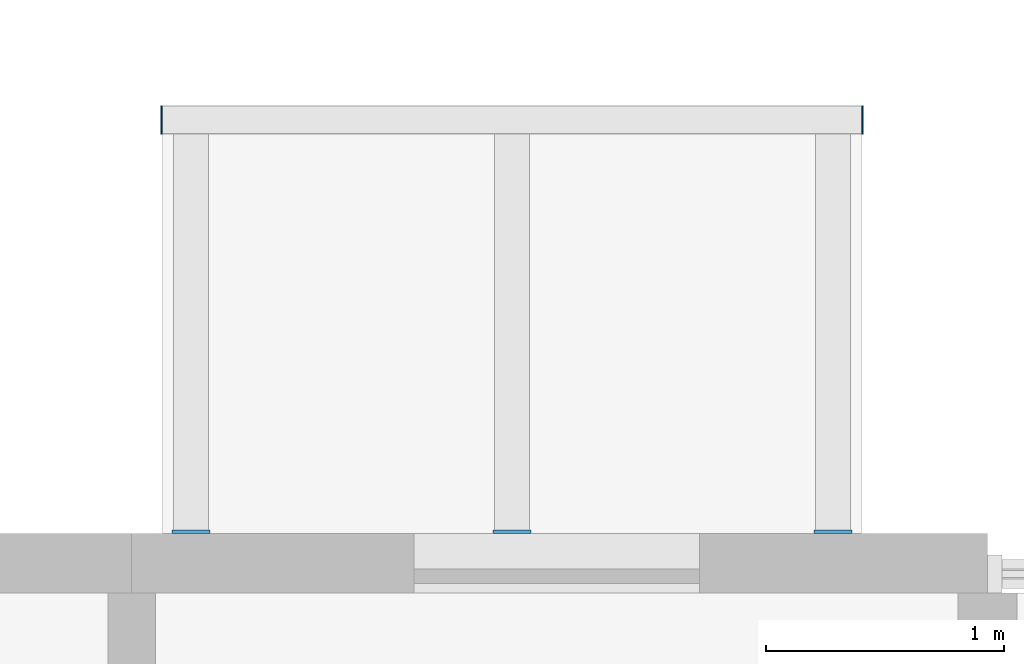
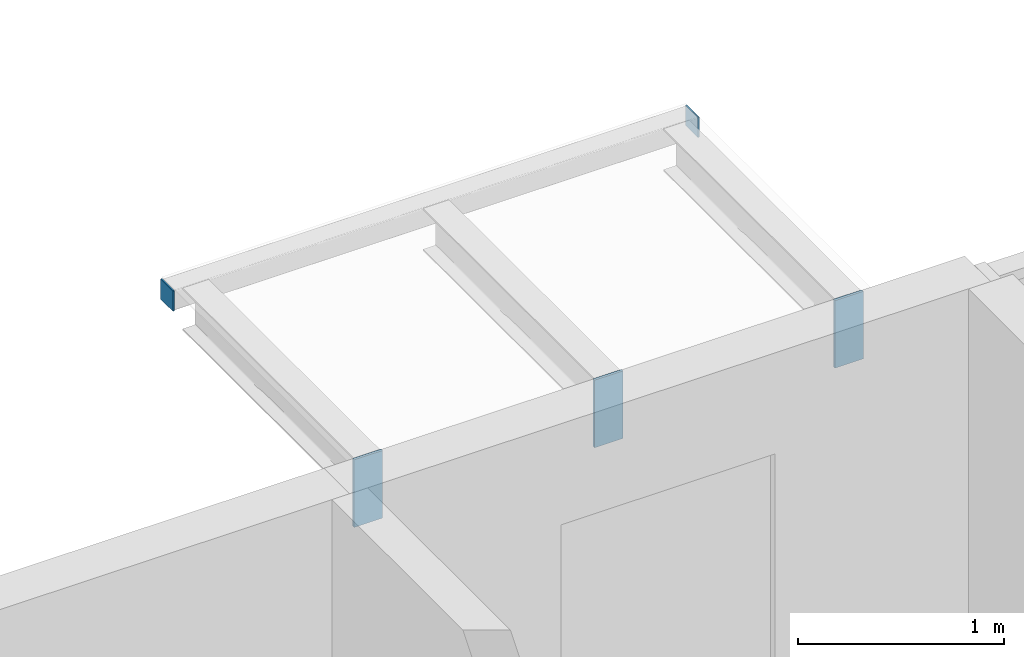
# One storey, part 64 of 99: 5 discrete accessories.
"""IFC4 building model written with IfcOpenShell, lengths in metres."""

from ifc_helpers import new_model, si_unit, direction, frame, origin, origin_2d, place, context, subcontext, project, spatial, rectangle, extrude, material, layer, layer_set, type_object, element, save


model = new_model("IFC4")

# Units and contexts
model_context = context("Model", 3, precision=1e-05, world=origin(), true_north=direction((0.0, 1.0)))
body_context = subcontext(model_context, "Body", "Model", "MODEL_VIEW")
ifc_project = project(units=[si_unit("LENGTHUNIT", "METRE"), si_unit("AREAUNIT", "SQUARE_METRE"), si_unit("VOLUMEUNIT", "CUBIC_METRE"), si_unit("PLANEANGLEUNIT", "RADIAN"), si_unit("MASSUNIT", "GRAM", prefix="KILO")], contexts=[model_context])

# Site, building, storey
site_placement = place(None, origin())
site = spatial("IfcSite", under=ifc_project, at=site_placement, CompositionType="ELEMENT")
building_placement = place(site_placement, origin())
building = spatial("IfcBuilding", under=site, at=building_placement, Name="Ridgestep Commons", CompositionType="ELEMENT")
storey_placement = place(building_placement, frame((0.0, 0.0, 15.0)))
storey = spatial("IfcBuildingStorey", under=building, at=storey_placement, Name="L05", CompositionType="ELEMENT", Elevation=15.0)

# Discrete accessories
ifc_material_1 = material(Name="Weathering steel S355J2W", Category="steel")
ifc_layer_1 = layer(ifc_material_1, 0.014892578125)
ifc_layer_set_1 = layer_set([ifc_layer_1], Name="Tray bracket plate 15")
discrete_accessory_type_1 = type_object("IfcDiscreteAccessoryType", Name="Tray bracket plate 15", PredefinedType="BRACKET", material=ifc_layer_set_1)
for number, where, z_axis, x_axis, name in (
    (1, (69.85009765625, 23.007568359375, 2.588623046875), (0.0, 0.0, 1.0), (1.0, 0.0, 0.0), "Tray bracket A4T3-06.1"),
    (2, (71.199951171875, 23.007568359375, 2.588623046875), (0.0, 0.0, 1.0), (1.0, 0.0, 0.0), "Tray bracket A4T3-06.2"),
    (3, (72.550048828125, 23.007568359375, 2.588623046875), (0.0, 0.0, 1.0), (1.0, 0.0, 0.0), "Tray bracket A4T3-06.3"),
):
    element("IfcDiscreteAccessory", number, at=place(storey_placement, frame(where, z_axis=z_axis, x_axis=x_axis)), inside=storey, type_object=discrete_accessory_type_1, Name=name, PredefinedType="BRACKET", context=body_context, shape_type="SweptSolid", body=[
        extrude(rectangle(XDim=0.159912109375, YDim=0.014892578125, at=origin_2d()), origin(), (0.0, 0.0, 1.0), 0.4013671875),
    ])
ifc_material_2 = material(Name="Weathering steel S355J2W", Category="steel")
ifc_layer_2 = layer(ifc_material_2, 0.008056640625)
ifc_layer_set_2 = layer_set([ifc_layer_2], Name="Tray edge member end plate 120 x 120 x 8")
discrete_accessory_type_2 = type_object("IfcDiscreteAccessoryType", Name="Tray edge member end plate 120 x 120 x 8", PredefinedType="BRACKET", material=ifc_layer_set_2)
for number, where, z_axis, x_axis, name in (
    (4, (69.72607421875, 24.739990234375, 2.869873046875), (0.0, 0.0, 1.0), (1.0, 0.0, 0.0), "Tray edge member end plate A4T3-06 west"),
    (5, (72.674072265625, 24.739990234375, 2.869873046875), (0.0, 0.0, 1.0), (1.0, 0.0, 0.0), "Tray edge member end plate A4T3-06 east"),
):
    element("IfcDiscreteAccessory", number, at=place(storey_placement, frame(where, z_axis=z_axis, x_axis=x_axis)), inside=storey, type_object=discrete_accessory_type_2, Name=name, PredefinedType="BRACKET", context=body_context, shape_type="SweptSolid", body=[
        extrude(rectangle(XDim=0.008056640625, YDim=0.1201171875, at=origin_2d()), origin(), (0.0, 0.0, 1.0), 0.1201171875),
    ])

save(model, "model.ifc")
